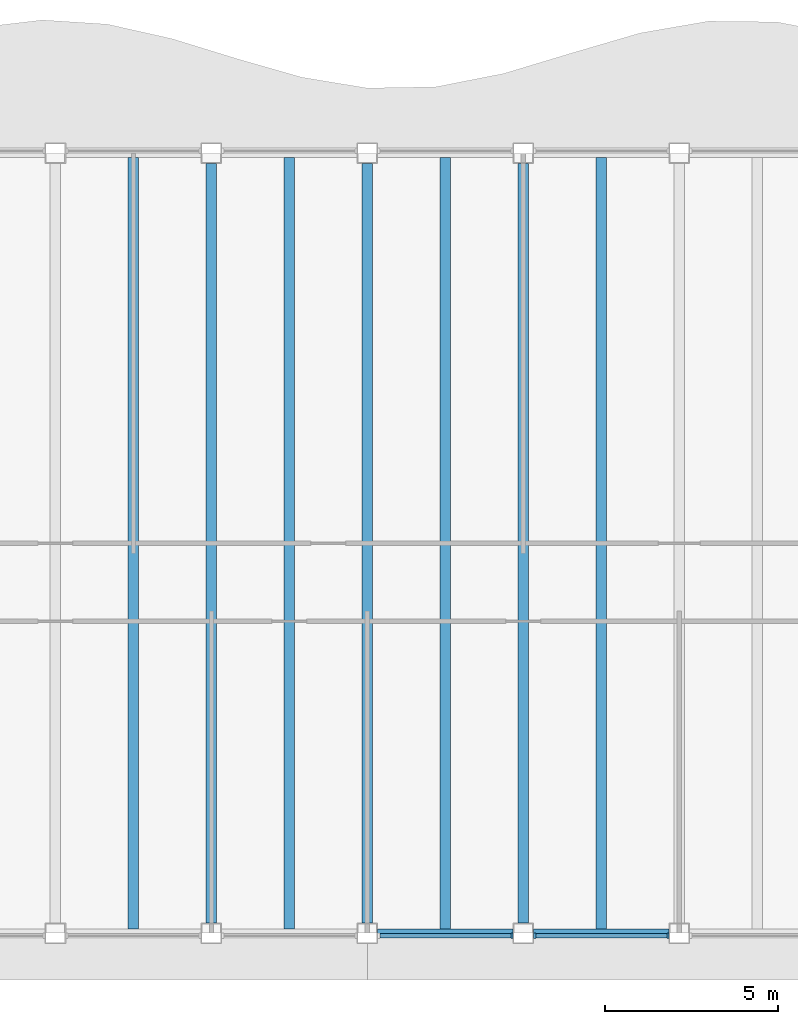
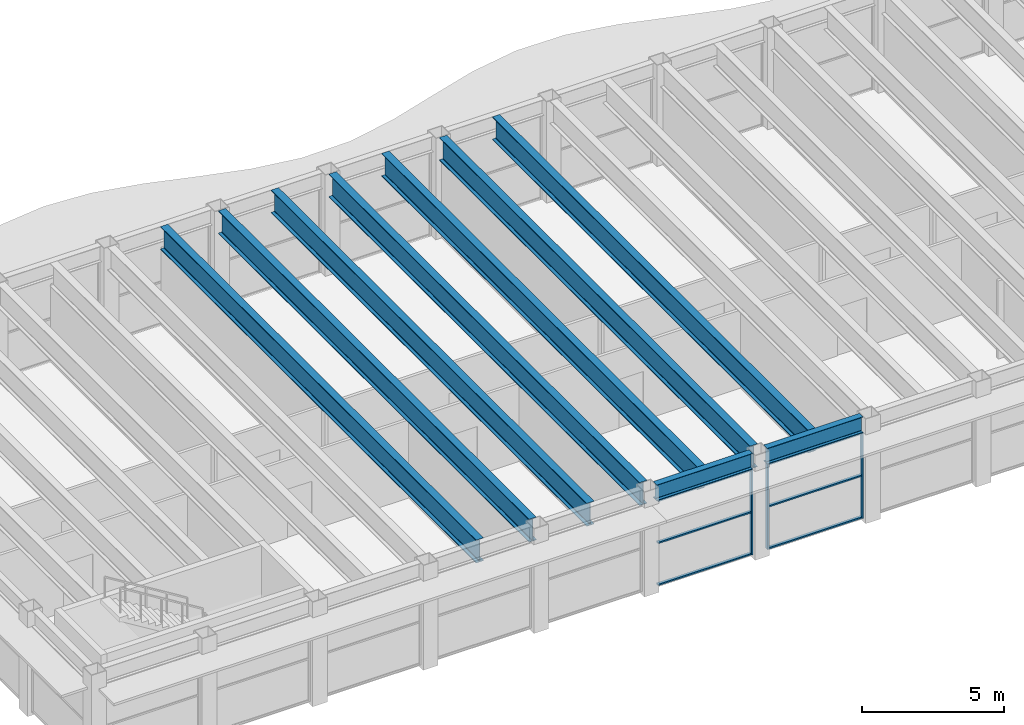
# One storey, part 3 of 14: 9 beams, 9 members, 2 elements without a shape of their own.
"""IFC4 building model written with IfcOpenShell, lengths in metres."""

from ifc_helpers import new_model, si_unit, direction, frame, origin, origin_2d, place, context, subcontext, project, spatial, rectangle, i_section, extrude, material, material_profile, profile_set, type_object, element, aggregate, save


model = new_model("IFC4")

# Units and contexts
model_context = context("Model", 3, precision=1e-05, world=origin(), true_north=direction((0.0, 1.0)))
body_context = subcontext(model_context, "Body", "Model", "MODEL_VIEW")
ifc_project = project(units=[si_unit("LENGTHUNIT", "METRE"), si_unit("AREAUNIT", "SQUARE_METRE"), si_unit("VOLUMEUNIT", "CUBIC_METRE"), si_unit("PLANEANGLEUNIT", "RADIAN"), si_unit("MASSUNIT", "GRAM", prefix="KILO")], contexts=[model_context])

# Site, building, storey
site_placement = place(None, origin())
site = spatial("IfcSite", under=ifc_project, at=site_placement, CompositionType="ELEMENT")
building_placement = place(site_placement, origin())
building = spatial("IfcBuilding", under=site, at=building_placement, Name="Sennacour Bend Tower", CompositionType="ELEMENT")
storey_placement = place(building_placement, frame((0.0, 0.0, 309.5)))
storey = spatial("IfcBuildingStorey", under=building, at=storey_placement, Name="L71", CompositionType="ELEMENT", Elevation=309.5)

# Curtain wall, member
ifc_material_1 = material(Name="Bronze anodised aluminium curtain wall with clear glass", Category="aluminium")
curtain_wall_type = type_object("IfcCurtainWallType", Name="CURTAIN WALL EXEC", PredefinedType="NOTDEFINED", material=ifc_material_1)
curtain_wall_1_placement = place(storey_placement, origin())
curtain_wall_1 = element("IfcCurtainWall", 1, at=curtain_wall_1_placement, inside=storey, type_object=curtain_wall_type, Name="Executive floor glass wall L71", PredefinedType="NOTDEFINED")
ifc_material_2 = material(Name="Aluminium 6063-T6", Category="aluminium")
ifc_material_profile_1 = material_profile(ifc_material_2, rectangle(XDim=0.14990234375, YDim=0.06005859375, at=origin_2d()), Name="Aluminium 6063-T6", Category="aluminium")
ifc_profile_set_1 = profile_set([ifc_material_profile_1], Name="Aluminium 6063-T6")
member_type_1 = type_object("IfcMemberType", Name="CW-MULLION-150X60", PredefinedType="MULLION", material=ifc_profile_set_1)
member_1_placement = place(storey_placement, frame((26.669921875, -0.074951171875, 0.0), z_axis=(0.0, 0.0, 1.0), x_axis=(0.0, 1.0, 0.0)))
member_1 = element("IfcMember", 2, at=member_1_placement, type_object=member_type_1, Name="GW3 curtain wall mullion 2", PredefinedType="MULLION", context=body_context, shape_type="SweptSolid", body=[
    extrude(rectangle(XDim=0.14990234375, YDim=0.06005859375, at=origin_2d()), origin(), (0.0, 0.0, 1.0), 3.672119140625),
])

# Curtain wall, members
curtain_wall_2_placement = place(storey_placement, origin())
curtain_wall_2 = element("IfcCurtainWall", 3, at=curtain_wall_2_placement, inside=storey, type_object=curtain_wall_type, Name="Executive floor glass wall L71", PredefinedType="NOTDEFINED")
member_2_placement = place(storey_placement, frame((27.330078125, -0.074951171875, 0.0), z_axis=(0.0, 0.0, 1.0), x_axis=(0.0, 1.0, 0.0)))
member_2 = element("IfcMember", 4, at=member_2_placement, type_object=member_type_1, Name="GW3 curtain wall mullion 1", PredefinedType="MULLION", context=body_context, shape_type="SweptSolid", body=[
    extrude(rectangle(XDim=0.14990234375, YDim=0.06005859375, at=origin_2d()), origin(), (0.0, 0.0, 1.0), 3.672119140625),
])
member_3_placement = place(storey_placement, frame((31.169921875, -0.074951171875, 0.0), z_axis=(0.0, 0.0, 1.0), x_axis=(0.0, 1.0, 0.0)))
member_3 = element("IfcMember", 5, at=member_3_placement, type_object=member_type_1, Name="GW3 curtain wall mullion 2", PredefinedType="MULLION", context=body_context, shape_type="SweptSolid", body=[
    extrude(rectangle(XDim=0.14990234375, YDim=0.06005859375, at=origin_2d()), origin(), (0.0, 0.0, 1.0), 3.672119140625),
])

# Member
ifc_material_profile_2 = material_profile(ifc_material_2, rectangle(XDim=0.1201171875, YDim=0.06005859375, at=origin_2d()), Name="Aluminium 6063-T6", Category="aluminium")
ifc_profile_set_2 = profile_set([ifc_material_profile_2], Name="Aluminium 6063-T6")
member_type_2 = type_object("IfcMemberType", Name="CW-TRANSOM-120X60", PredefinedType="USERDEFINED", material=ifc_profile_set_2)
member_4_placement = place(storey_placement, frame((22.860107421875, -0.074951171875, 0.030029296875), z_axis=(1.0, 0.0, 0.0), x_axis=(0.0, 1.0, 0.0)))
member_4 = element("IfcMember", 6, at=member_4_placement, type_object=member_type_2, Name="GW3 curtain wall transom 1.1", ObjectType="TRANSOM", PredefinedType="USERDEFINED", context=body_context, shape_type="SweptSolid", body=[
    extrude(rectangle(XDim=0.1201171875, YDim=0.06005859375, at=origin_2d()), origin(), (0.0, 0.0, 1.0), 3.77978515625),
])

member_5_placement = place(storey_placement, frame((22.860107421875, -0.074951171875, 1.8359375), z_axis=(1.0, 0.0, 0.0), x_axis=(0.0, 1.0, 0.0)))
member_5 = element("IfcMember", 7, at=member_5_placement, type_object=member_type_2, Name="GW3 curtain wall transom 1.2", ObjectType="TRANSOM", PredefinedType="USERDEFINED", context=body_context, shape_type="SweptSolid", body=[
    extrude(rectangle(XDim=0.1201171875, YDim=0.06005859375, at=origin_2d()), origin(), (0.0, 0.0, 1.0), 3.77978515625),
])

member_6_placement = place(storey_placement, frame((22.860107421875, -0.074951171875, 3.64208984375), z_axis=(1.0, 0.0, 0.0), x_axis=(0.0, 1.0, 0.0)))
member_6 = element("IfcMember", 8, at=member_6_placement, type_object=member_type_2, Name="GW3 curtain wall transom 1.3", ObjectType="TRANSOM", PredefinedType="USERDEFINED", context=body_context, shape_type="SweptSolid", body=[
    extrude(rectangle(XDim=0.1201171875, YDim=0.06005859375, at=origin_2d()), origin(), (0.0, 0.0, 1.0), 3.77978515625),
])

aggregate(curtain_wall_1, [member_1, member_4, member_5, member_6])

member_7_placement = place(storey_placement, frame((27.360107421875, -0.074951171875, 0.030029296875), z_axis=(1.0, 0.0, 0.0), x_axis=(0.0, 1.0, 0.0)))
member_7 = element("IfcMember", 9, at=member_7_placement, type_object=member_type_2, Name="GW3 curtain wall transom 1.1", ObjectType="TRANSOM", PredefinedType="USERDEFINED", context=body_context, shape_type="SweptSolid", body=[
    extrude(rectangle(XDim=0.1201171875, YDim=0.06005859375, at=origin_2d()), origin(), (0.0, 0.0, 1.0), 3.77978515625),
])

member_8_placement = place(storey_placement, frame((27.360107421875, -0.074951171875, 1.8359375), z_axis=(1.0, 0.0, 0.0), x_axis=(0.0, 1.0, 0.0)))
member_8 = element("IfcMember", 10, at=member_8_placement, type_object=member_type_2, Name="GW3 curtain wall transom 1.2", ObjectType="TRANSOM", PredefinedType="USERDEFINED", context=body_context, shape_type="SweptSolid", body=[
    extrude(rectangle(XDim=0.1201171875, YDim=0.06005859375, at=origin_2d()), origin(), (0.0, 0.0, 1.0), 3.77978515625),
])

member_9_placement = place(storey_placement, frame((27.360107421875, -0.074951171875, 3.64208984375), z_axis=(1.0, 0.0, 0.0), x_axis=(0.0, 1.0, 0.0)))
member_9 = element("IfcMember", 11, at=member_9_placement, type_object=member_type_2, Name="GW3 curtain wall transom 1.3", ObjectType="TRANSOM", PredefinedType="USERDEFINED", context=body_context, shape_type="SweptSolid", body=[
    extrude(rectangle(XDim=0.1201171875, YDim=0.06005859375, at=origin_2d()), origin(), (0.0, 0.0, 1.0), 3.77978515625),
])

aggregate(curtain_wall_2, [member_2, member_3, member_7, member_8, member_9])

# Beams
ifc_material_3 = material(Name="Steel ASTM A992 Grade 50", Category="steel")
ifc_material_profile_3 = material_profile(ifc_material_3, i_section(OverallWidth=0.300048828125, OverallDepth=0.990966796875, WebThickness=0.0166015625, FlangeThickness=0.030517578125, FilletRadius=0.030029296875, at=origin_2d()), Name="Steel ASTM A992 Grade 50", Category="steel")
ifc_profile_set_3 = profile_set([ifc_material_profile_3], Name="Steel ASTM A992 Grade 50")
beam_type_1 = type_object("IfcBeamType", Name="Floor beam W1000X272", PredefinedType="BEAM", material=ifc_profile_set_3)
beam_1_placement = place(storey_placement, frame((15.75, 0.126953125, 3.8544921875), z_axis=(0.0, 1.0, 0.0), x_axis=(-1.0, 0.0, 0.0)))
element("IfcBeam", 12, at=beam_1_placement, inside=storey, type_object=beam_type_1, Name="Floor beam FBM3 L72-007", PredefinedType="BEAM", context=body_context, shape_type="SweptSolid", body=[
    extrude(i_section(OverallWidth=0.300048828125, OverallDepth=0.990966796875, WebThickness=0.0166015625, FlangeThickness=0.030517578125, FilletRadius=0.030029296875, at=origin_2d()), origin(), (0.0, 0.0, 1.0), 22.24609375),
])
beam_2_placement = place(storey_placement, frame((18.0, 0.300048828125, 3.8544921875), z_axis=(0.0, 1.0, 0.0), x_axis=(-1.0, 0.0, 0.0)))
element("IfcBeam", 13, at=beam_2_placement, inside=storey, type_object=beam_type_1, Name="Floor beam FBM3 L72-008", PredefinedType="BEAM", context=body_context, shape_type="SweptSolid", body=[
    extrude(i_section(OverallWidth=0.300048828125, OverallDepth=0.990966796875, WebThickness=0.0166015625, FlangeThickness=0.030517578125, FilletRadius=0.030029296875, at=origin_2d()), origin(), (0.0, 0.0, 1.0), 21.89990234375),
])
beam_3_placement = place(storey_placement, frame((20.25, 0.126953125, 3.8544921875), z_axis=(0.0, 1.0, 0.0), x_axis=(-1.0, 0.0, 0.0)))
element("IfcBeam", 14, at=beam_3_placement, inside=storey, type_object=beam_type_1, Name="Floor beam FBM3 L72-009", PredefinedType="BEAM", context=body_context, shape_type="SweptSolid", body=[
    extrude(i_section(OverallWidth=0.300048828125, OverallDepth=0.990966796875, WebThickness=0.0166015625, FlangeThickness=0.030517578125, FilletRadius=0.030029296875, at=origin_2d()), origin(), (0.0, 0.0, 1.0), 22.24609375),
])
beam_4_placement = place(storey_placement, frame((22.5, 0.300048828125, 3.8544921875), z_axis=(0.0, 1.0, 0.0), x_axis=(-1.0, 0.0, 0.0)))
element("IfcBeam", 15, at=beam_4_placement, inside=storey, type_object=beam_type_1, Name="Floor beam FBM3 L72-010", PredefinedType="BEAM", context=body_context, shape_type="SweptSolid", body=[
    extrude(i_section(OverallWidth=0.300048828125, OverallDepth=0.990966796875, WebThickness=0.0166015625, FlangeThickness=0.030517578125, FilletRadius=0.030029296875, at=origin_2d()), origin(), (0.0, 0.0, 1.0), 21.89990234375),
])
beam_5_placement = place(storey_placement, frame((24.75, 0.126953125, 3.8544921875), z_axis=(0.0, 1.0, 0.0), x_axis=(-1.0, 0.0, 0.0)))
element("IfcBeam", 16, at=beam_5_placement, inside=storey, type_object=beam_type_1, Name="Floor beam FBM3 L72-011", PredefinedType="BEAM", context=body_context, shape_type="SweptSolid", body=[
    extrude(i_section(OverallWidth=0.300048828125, OverallDepth=0.990966796875, WebThickness=0.0166015625, FlangeThickness=0.030517578125, FilletRadius=0.030029296875, at=origin_2d()), origin(), (0.0, 0.0, 1.0), 22.24609375),
])
beam_6_placement = place(storey_placement, frame((27.0, 0.300048828125, 3.8544921875), z_axis=(0.0, 1.0, 0.0), x_axis=(-1.0, 0.0, 0.0)))
element("IfcBeam", 17, at=beam_6_placement, inside=storey, type_object=beam_type_1, Name="Floor beam FBM3 L72-012", PredefinedType="BEAM", context=body_context, shape_type="SweptSolid", body=[
    extrude(i_section(OverallWidth=0.300048828125, OverallDepth=0.990966796875, WebThickness=0.0166015625, FlangeThickness=0.030517578125, FilletRadius=0.030029296875, at=origin_2d()), origin(), (0.0, 0.0, 1.0), 21.89990234375),
])
beam_7_placement = place(storey_placement, frame((29.25, 0.126953125, 3.8544921875), z_axis=(0.0, 1.0, 0.0), x_axis=(-1.0, 0.0, 0.0)))
element("IfcBeam", 18, at=beam_7_placement, inside=storey, type_object=beam_type_1, Name="Floor beam FBM3 L72-013", PredefinedType="BEAM", context=body_context, shape_type="SweptSolid", body=[
    extrude(i_section(OverallWidth=0.300048828125, OverallDepth=0.990966796875, WebThickness=0.0166015625, FlangeThickness=0.030517578125, FilletRadius=0.030029296875, at=origin_2d()), origin(), (0.0, 0.0, 1.0), 22.24609375),
])
ifc_material_profile_4 = material_profile(ifc_material_3, i_section(OverallWidth=0.25390625, OverallDepth=0.677978515625, WebThickness=0.01171875, FlangeThickness=0.016357421875, FilletRadius=0.01513671875, at=origin_2d()), Name="Steel ASTM A992 Grade 50", Category="steel")
ifc_profile_set_4 = profile_set([ifc_material_profile_4], Name="Steel ASTM A992 Grade 50")
beam_type_2 = type_object("IfcBeamType", Name="Spandrel beam W690X125", PredefinedType="SPANDREL", material=ifc_profile_set_4)
for number, where, z_axis, x_axis, name in (
    (19, (31.199951171875, 0.0, 4.010986328125), (-1.0, 0.0, 0.0), (0.0, -1.0, 0.0), "Spandrel beam SP7 L72-023"),
    (20, (26.699951171875, 0.0, 4.010986328125), (-1.0, 0.0, 0.0), (0.0, -1.0, 0.0), "Spandrel beam SP7 L72-024"),
):
    element("IfcBeam", number, at=place(storey_placement, frame(where, z_axis=z_axis, x_axis=x_axis)), inside=storey, type_object=beam_type_2, Name=name, PredefinedType="SPANDREL", context=body_context, shape_type="SweptSolid", body=[
        extrude(i_section(OverallWidth=0.25390625, OverallDepth=0.677978515625, WebThickness=0.01171875, FlangeThickness=0.016357421875, FilletRadius=0.01513671875, at=origin_2d()), origin(), (0.0, 0.0, 1.0), 3.89990234375),
    ])

save(model, "model.ifc")
